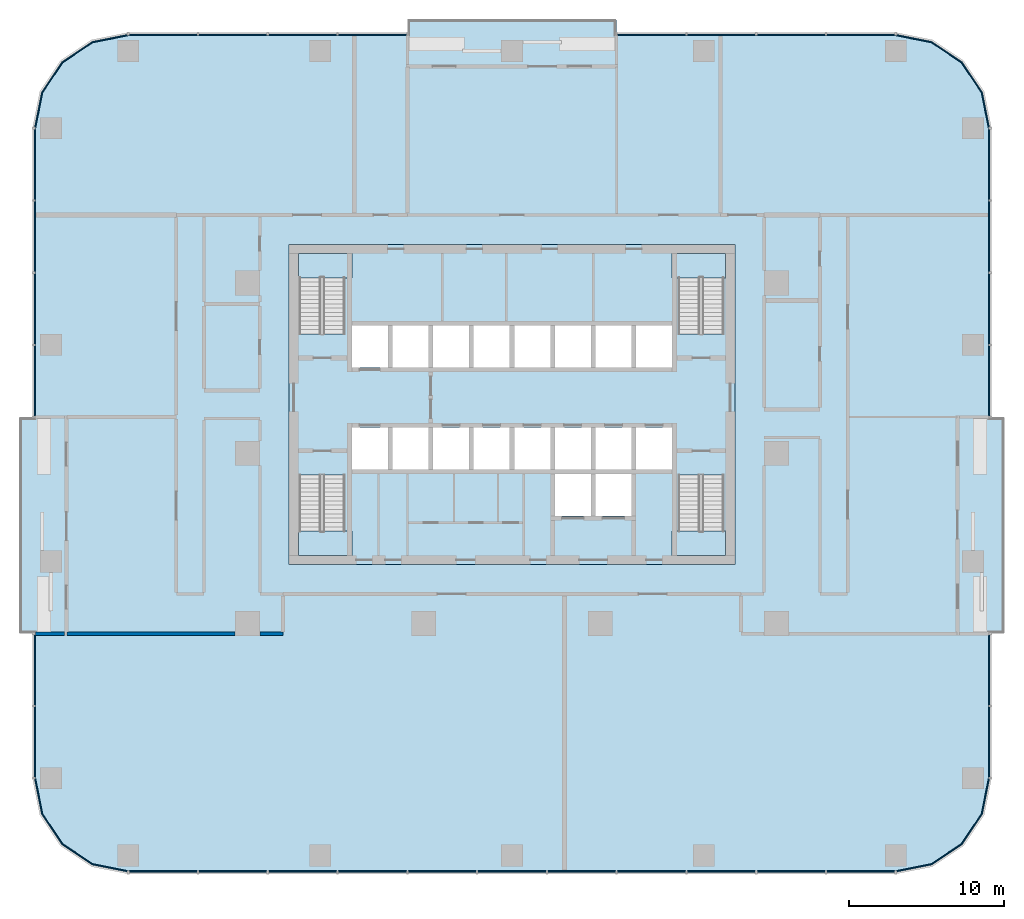
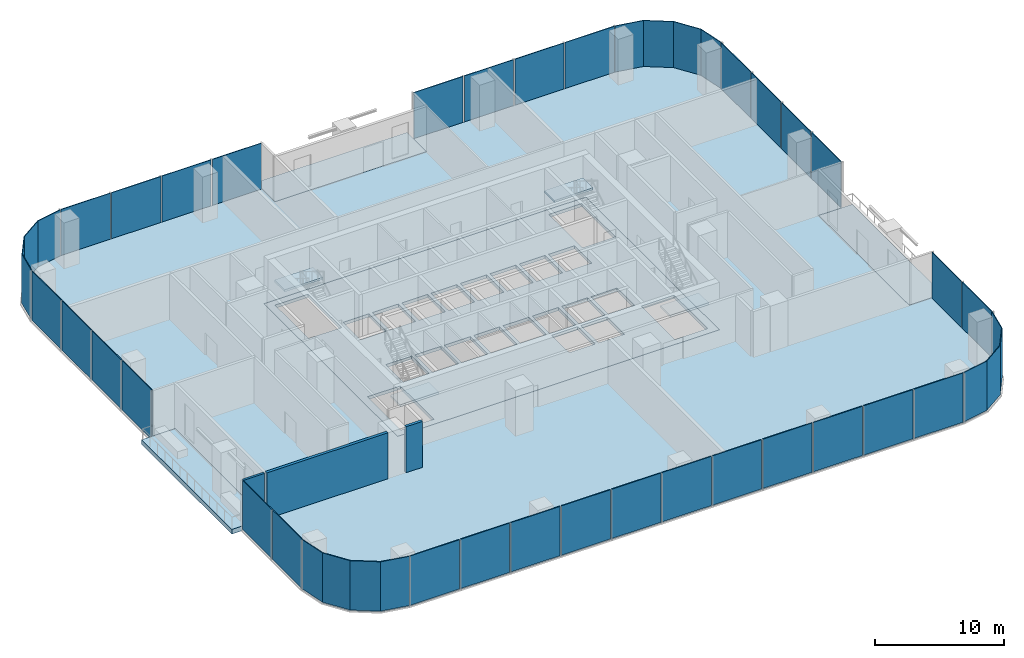
# One storey, part 6 of 14: 35 plates, 9 slabs, 3 walls, 15 elements without a shape of their own.
"""IFC4 building model written with IfcOpenShell, lengths in metres."""

from ifc_helpers import new_model, si_unit, direction, frame, frame_2d, origin, origin_2d, place, context, subcontext, project, spatial, polyline, rectangle, outline, extrude, material, layer, layer_set, type_object, element, aggregate, save


model = new_model("IFC4")

# Units and contexts
model_context = context("Model", 3, precision=1e-05, world=origin(), true_north=direction((0.0, 1.0)))
body_context = subcontext(model_context, "Body", "Model", "MODEL_VIEW")
ifc_project = project(units=[si_unit("LENGTHUNIT", "METRE"), si_unit("AREAUNIT", "SQUARE_METRE"), si_unit("VOLUMEUNIT", "CUBIC_METRE"), si_unit("PLANEANGLEUNIT", "RADIAN"), si_unit("MASSUNIT", "GRAM", prefix="KILO")], contexts=[model_context])

# Site, building, storey
site_placement = place(None, origin())
site = spatial("IfcSite", under=ifc_project, at=site_placement, CompositionType="ELEMENT")
building_placement = place(site_placement, origin())
building = spatial("IfcBuilding", under=site, at=building_placement, Name="Mopane Tessera Tower", CompositionType="ELEMENT")
storey_placement = place(building_placement, frame((0.0, 0.0, 35.800048828125)))
storey = spatial("IfcBuildingStorey", under=building, at=storey_placement, Name="L06", CompositionType="ELEMENT", Elevation=35.800048828125)

# Slab
ifc_material_1 = material(Name="Concrete C40/50", Category="concrete")
ifc_layer_1 = layer(ifc_material_1, 0.300048828125)
ifc_layer_set_1 = layer_set([ifc_layer_1], Name="Concrete C40/50")
slab_type_1 = type_object("IfcSlabType", Name="Core floor slab 300 mm", PredefinedType="FLOOR", material=ifc_layer_set_1)
slab_1_placement = place(storey_placement, frame((0.0, 0.0, -0.300048828125)))
element("IfcSlab", 1, at=slab_1_placement, inside=storey, type_object=slab_type_1, Name="L06 core floor slab", PredefinedType="FLOOR", context=body_context, shape_type="SweptSolid", body=[
    extrude(outline(polyline([(-14.39990234375, -7.199951171875), (14.39990234375, -7.199951171875), (14.39990234375, 13.5), (-14.39990234375, 13.5), (-14.39990234375, -7.199951171875)]), holes=[polyline([(-10.35009765625, -1.050048828125), (-8.02490234375, -1.050048828125), (-8.02490234375, 1.64990234375), (-10.35009765625, 1.64990234375), (-10.35009765625, -1.050048828125)]), polyline([(-7.72509765625, -1.050048828125), (-5.39990234375, -1.050048828125), (-5.39990234375, 1.64990234375), (-7.72509765625, 1.64990234375), (-7.72509765625, -1.050048828125)]), polyline([(-5.10009765625, -1.050048828125), (-2.77490234375, -1.050048828125), (-2.77490234375, 1.64990234375), (-5.10009765625, 1.64990234375), (-5.10009765625, -1.050048828125)]), polyline([(-2.47509765625, -1.050048828125), (-0.14990234375, -1.050048828125), (-0.14990234375, 1.64990234375), (-2.47509765625, 1.64990234375), (-2.47509765625, -1.050048828125)]), polyline([(0.14990234375, -1.050048828125), (2.47509765625, -1.050048828125), (2.47509765625, 1.64990234375), (0.14990234375, 1.64990234375), (0.14990234375, -1.050048828125)]), polyline([(2.77490234375, -1.050048828125), (5.10009765625, -1.050048828125), (5.10009765625, 1.64990234375), (2.77490234375, 1.64990234375), (2.77490234375, -1.050048828125)]), polyline([(5.39990234375, -1.050048828125), (7.72509765625, -1.050048828125), (7.72509765625, 1.64990234375), (5.39990234375, 1.64990234375), (5.39990234375, -1.050048828125)]), polyline([(8.02490234375, -1.050048828125), (10.35009765625, -1.050048828125), (10.35009765625, 1.64990234375), (8.02490234375, 1.64990234375), (8.02490234375, -1.050048828125)]), polyline([(-10.35009765625, 5.550048828125), (-8.02490234375, 5.550048828125), (-8.02490234375, 8.25), (-10.35009765625, 8.25), (-10.35009765625, 5.550048828125)]), polyline([(-7.72509765625, 5.550048828125), (-5.39990234375, 5.550048828125), (-5.39990234375, 8.25), (-7.72509765625, 8.25), (-7.72509765625, 5.550048828125)]), polyline([(-5.10009765625, 5.550048828125), (-2.77490234375, 5.550048828125), (-2.77490234375, 8.25), (-5.10009765625, 8.25), (-5.10009765625, 5.550048828125)]), polyline([(-2.47509765625, 5.550048828125), (-0.14990234375, 5.550048828125), (-0.14990234375, 8.25), (-2.47509765625, 8.25), (-2.47509765625, 5.550048828125)]), polyline([(0.14990234375, 5.550048828125), (2.47509765625, 5.550048828125), (2.47509765625, 8.25), (0.14990234375, 8.25), (0.14990234375, 5.550048828125)]), polyline([(2.77490234375, 5.550048828125), (5.10009765625, 5.550048828125), (5.10009765625, 8.25), (2.77490234375, 8.25), (2.77490234375, 5.550048828125)]), polyline([(5.39990234375, 5.550048828125), (7.72509765625, 5.550048828125), (7.72509765625, 8.25), (5.39990234375, 8.25), (5.39990234375, 5.550048828125)]), polyline([(8.02490234375, 5.550048828125), (10.35009765625, 5.550048828125), (10.35009765625, 8.25), (8.02490234375, 8.25), (8.02490234375, 5.550048828125)]), polyline([(2.77490234375, -4.050048828125), (5.10009765625, -4.050048828125), (5.10009765625, -1.35009765625), (2.77490234375, -1.35009765625), (2.77490234375, -4.050048828125)]), polyline([(5.39990234375, -4.050048828125), (7.72509765625, -4.050048828125), (7.72509765625, -1.35009765625), (5.39990234375, -1.35009765625), (5.39990234375, -4.050048828125)]), polyline([(-13.75, -1.405029296875), (-13.75, -6.60009765625), (-10.800048828125, -6.60009765625), (-10.800048828125, -1.405029296875), (-13.75, -1.405029296875)]), polyline([(-10.800048828125, 7.705078125), (-10.800048828125, 12.89990234375), (-13.75, 12.89990234375), (-13.75, 7.705078125), (-10.800048828125, 7.705078125)]), polyline([(10.75, -1.405029296875), (10.75, -6.60009765625), (13.699951171875, -6.60009765625), (13.699951171875, -1.405029296875), (10.75, -1.405029296875)]), polyline([(13.699951171875, 7.705078125), (13.699951171875, 12.89990234375), (10.75, 12.89990234375), (10.75, 7.705078125), (13.699951171875, 7.705078125)])]), origin(), (0.0, 0.0, 1.0), 0.300048828125),
])

# Stair, slab
ifc_material_2 = material(Name="Concrete C50/60", Category="concrete")
stair_type = type_object("IfcStairType", Name="Escape stair 1400 mm, riser 171 mm", PredefinedType="HALF_TURN_STAIR", material=ifc_material_2)
stair_1_placement = place(storey_placement, origin())
stair_1 = element("IfcStair", 2, at=stair_1_placement, inside=storey, type_object=stair_type, Name="L06 Escape stair south-west", PredefinedType="HALF_TURN_STAIR")
ifc_material_3 = material(Name="Concrete C50/60", Category="concrete")
ifc_layer_2 = layer(ifc_material_3, 0.199951171875)
ifc_layer_set_2 = layer_set([ifc_layer_2], Name="Concrete C50/60")
slab_type_2 = type_object("IfcSlabType", Name="Escape stair landing 200 mm", PredefinedType="LANDING", material=ifc_layer_set_2)
slab_2_placement = place(storey_placement, frame((0.0, 0.0, 2.199951171875)))
slab_2 = element("IfcSlab", 3, at=slab_2_placement, type_object=slab_type_2, Name="ST1 landing 1", PredefinedType="LANDING", context=body_context, shape_type="SweptSolid", body=[
    extrude(outline(polyline([(-13.800048828125, -5.0400390625), (-13.800048828125, -6.60009765625), (-10.35009765625, -6.60009765625), (-10.35009765625, -5.0400390625), (-13.800048828125, -5.0400390625)])), origin(), (0.0, 0.0, 1.0), 0.199951171875),
])
aggregate(stair_1, [slab_2])

stair_2_placement = place(storey_placement, origin())
stair_2 = element("IfcStair", 4, at=stair_2_placement, inside=storey, type_object=stair_type, Name="L06 Escape stair north-west", PredefinedType="HALF_TURN_STAIR")
slab_3_placement = place(storey_placement, frame((0.0, 0.0, 2.199951171875)))
slab_3 = element("IfcSlab", 5, at=slab_3_placement, type_object=slab_type_2, Name="ST2 landing 1", PredefinedType="LANDING", context=body_context, shape_type="SweptSolid", body=[
    extrude(outline(polyline([(-10.35009765625, 11.340087890625), (-10.35009765625, 12.89990234375), (-13.800048828125, 12.89990234375), (-13.800048828125, 11.340087890625), (-10.35009765625, 11.340087890625)])), origin(), (0.0, 0.0, 1.0), 0.199951171875),
])
aggregate(stair_2, [slab_3])

stair_3_placement = place(storey_placement, origin())
stair_3 = element("IfcStair", 6, at=stair_3_placement, inside=storey, type_object=stair_type, Name="L06 Escape stair south-east", PredefinedType="HALF_TURN_STAIR")
slab_4_placement = place(storey_placement, frame((0.0, 0.0, 2.199951171875)))
slab_4 = element("IfcSlab", 7, at=slab_4_placement, type_object=slab_type_2, Name="ST3 landing 1", PredefinedType="LANDING", context=body_context, shape_type="SweptSolid", body=[
    extrude(outline(polyline([(10.35009765625, -5.0400390625), (10.35009765625, -6.60009765625), (13.800048828125, -6.60009765625), (13.800048828125, -5.0400390625), (10.35009765625, -5.0400390625)])), origin(), (0.0, 0.0, 1.0), 0.199951171875),
])
aggregate(stair_3, [slab_4])

stair_4_placement = place(storey_placement, origin())
stair_4 = element("IfcStair", 8, at=stair_4_placement, inside=storey, type_object=stair_type, Name="L06 Escape stair north-east", PredefinedType="HALF_TURN_STAIR")
slab_5_placement = place(storey_placement, frame((0.0, 0.0, 2.199951171875)))
slab_5 = element("IfcSlab", 9, at=slab_5_placement, type_object=slab_type_2, Name="ST4 landing 1", PredefinedType="LANDING", context=body_context, shape_type="SweptSolid", body=[
    extrude(outline(polyline([(13.800048828125, 11.340087890625), (13.800048828125, 12.89990234375), (10.35009765625, 12.89990234375), (10.35009765625, 11.340087890625), (13.800048828125, 11.340087890625)])), origin(), (0.0, 0.0, 1.0), 0.199951171875),
])
aggregate(stair_4, [slab_5])

# Curtain wall, plates
ifc_material_4 = material(Name="Aluminium frame", Category="aluminium")
curtain_wall_type = type_object("IfcCurtainWallType", Name="Lower tower unitised wall", PredefinedType="NOTDEFINED", material=ifc_material_4)
curtain_wall_1_placement = place(storey_placement, origin())
curtain_wall_1 = element("IfcCurtainWall", 10, at=curtain_wall_1_placement, inside=storey, type_object=curtain_wall_type, Name="e:cw:L06:S:0", PredefinedType="NOTDEFINED")
ifc_material_5 = material(Name="Clear laminated glass", Category="glass")
ifc_layer_3 = layer(ifc_material_5, 0.070068359375)
ifc_layer_set_3 = layer_set([ifc_layer_3], Name="Clear laminated glass")
plate_type = type_object("IfcPlateType", Name="Laminated glazed unit 70", PredefinedType="CURTAIN_PANEL", material=ifc_layer_set_3)
plate_1_placement = place(storey_placement, frame((-22.54541015625, -27.034912109375, -0.31005859375), z_axis=(0.0, 0.0, 1.0), x_axis=(1.0, 0.0, 0.0)))
plate_1 = element("IfcPlate", 11, at=plate_1_placement, type_object=plate_type, Name="e:cw:L06:S:0:pn0", PredefinedType="CURTAIN_PANEL", context=body_context, shape_type="SweptSolid", body=[
    extrude(rectangle(XDim=4.399169921875, YDim=0.070068359375, at=origin_2d()), origin(), (0.0, 0.0, 1.0), 4.659912109375),
])
plate_2_placement = place(storey_placement, frame((-18.036376953125, -27.034912109375, -0.31005859375), z_axis=(0.0, 0.0, 1.0), x_axis=(1.0, 0.0, 0.0)))
plate_2 = element("IfcPlate", 12, at=plate_2_placement, type_object=plate_type, Name="e:cw:L06:S:0:pn1", PredefinedType="CURTAIN_PANEL", context=body_context, shape_type="SweptSolid", body=[
    extrude(rectangle(XDim=4.399169921875, YDim=0.070068359375, at=origin_2d()), origin(), (0.0, 0.0, 1.0), 4.659912109375),
])
plate_3_placement = place(storey_placement, frame((-13.52734375, -27.034912109375, -0.31005859375), z_axis=(0.0, 0.0, 1.0), x_axis=(1.0, 0.0, 0.0)))
plate_3 = element("IfcPlate", 13, at=plate_3_placement, type_object=plate_type, Name="e:cw:L06:S:0:pn2", PredefinedType="CURTAIN_PANEL", context=body_context, shape_type="SweptSolid", body=[
    extrude(rectangle(XDim=4.399169921875, YDim=0.070068359375, at=origin_2d()), origin(), (0.0, 0.0, 1.0), 4.659912109375),
])
plate_4_placement = place(storey_placement, frame((-9.01806640625, -27.034912109375, -0.31005859375), z_axis=(0.0, 0.0, 1.0), x_axis=(1.0, 0.0, 0.0)))
plate_4 = element("IfcPlate", 14, at=plate_4_placement, type_object=plate_type, Name="e:cw:L06:S:0:pn3", PredefinedType="CURTAIN_PANEL", context=body_context, shape_type="SweptSolid", body=[
    extrude(rectangle(XDim=4.399169921875, YDim=0.070068359375, at=origin_2d()), origin(), (0.0, 0.0, 1.0), 4.659912109375),
])
plate_5_placement = place(storey_placement, frame((-4.509033203125, -27.034912109375, -0.31005859375), z_axis=(0.0, 0.0, 1.0), x_axis=(1.0, 0.0, 0.0)))
plate_5 = element("IfcPlate", 15, at=plate_5_placement, type_object=plate_type, Name="e:cw:L06:S:0:pn4", PredefinedType="CURTAIN_PANEL", context=body_context, shape_type="SweptSolid", body=[
    extrude(rectangle(XDim=4.399169921875, YDim=0.070068359375, at=origin_2d()), origin(), (0.0, 0.0, 1.0), 4.659912109375),
])
plate_6_placement = place(storey_placement, frame((0.0, -27.034912109375, -0.31005859375), z_axis=(0.0, 0.0, 1.0), x_axis=(1.0, 0.0, 0.0)))
plate_6 = element("IfcPlate", 16, at=plate_6_placement, type_object=plate_type, Name="e:cw:L06:S:0:pn5", PredefinedType="CURTAIN_PANEL", context=body_context, shape_type="SweptSolid", body=[
    extrude(rectangle(XDim=4.399169921875, YDim=0.070068359375, at=origin_2d()), origin(), (0.0, 0.0, 1.0), 4.659912109375),
])
plate_7_placement = place(storey_placement, frame((4.509033203125, -27.034912109375, -0.31005859375), z_axis=(0.0, 0.0, 1.0), x_axis=(1.0, 0.0, 0.0)))
plate_7 = element("IfcPlate", 17, at=plate_7_placement, type_object=plate_type, Name="e:cw:L06:S:0:pn6", PredefinedType="CURTAIN_PANEL", context=body_context, shape_type="SweptSolid", body=[
    extrude(rectangle(XDim=4.399169921875, YDim=0.070068359375, at=origin_2d()), origin(), (0.0, 0.0, 1.0), 4.659912109375),
])
plate_8_placement = place(storey_placement, frame((9.01806640625, -27.034912109375, -0.31005859375), z_axis=(0.0, 0.0, 1.0), x_axis=(1.0, 0.0, 0.0)))
plate_8 = element("IfcPlate", 18, at=plate_8_placement, type_object=plate_type, Name="e:cw:L06:S:0:pn7", PredefinedType="CURTAIN_PANEL", context=body_context, shape_type="SweptSolid", body=[
    extrude(rectangle(XDim=4.399169921875, YDim=0.070068359375, at=origin_2d()), origin(), (0.0, 0.0, 1.0), 4.659912109375),
])
plate_9_placement = place(storey_placement, frame((13.52734375, -27.034912109375, -0.31005859375), z_axis=(0.0, 0.0, 1.0), x_axis=(1.0, 0.0, 0.0)))
plate_9 = element("IfcPlate", 19, at=plate_9_placement, type_object=plate_type, Name="e:cw:L06:S:0:pn8", PredefinedType="CURTAIN_PANEL", context=body_context, shape_type="SweptSolid", body=[
    extrude(rectangle(XDim=4.399169921875, YDim=0.070068359375, at=origin_2d()), origin(), (0.0, 0.0, 1.0), 4.659912109375),
])
plate_10_placement = place(storey_placement, frame((18.036376953125, -27.034912109375, -0.31005859375), z_axis=(0.0, 0.0, 1.0), x_axis=(1.0, 0.0, 0.0)))
plate_10 = element("IfcPlate", 20, at=plate_10_placement, type_object=plate_type, Name="e:cw:L06:S:0:pn9", PredefinedType="CURTAIN_PANEL", context=body_context, shape_type="SweptSolid", body=[
    extrude(rectangle(XDim=4.399169921875, YDim=0.070068359375, at=origin_2d()), origin(), (0.0, 0.0, 1.0), 4.659912109375),
])
plate_11_placement = place(storey_placement, frame((22.54541015625, -27.034912109375, -0.31005859375), z_axis=(0.0, 0.0, 1.0), x_axis=(1.0, 0.0, 0.0)))
plate_11 = element("IfcPlate", 21, at=plate_11_placement, type_object=plate_type, Name="e:cw:L06:S:0:pn10", PredefinedType="CURTAIN_PANEL", context=body_context, shape_type="SweptSolid", body=[
    extrude(rectangle(XDim=4.399169921875, YDim=0.070068359375, at=origin_2d()), origin(), (0.0, 0.0, 1.0), 4.659912109375),
])
aggregate(curtain_wall_1, [plate_1, plate_2, plate_3, plate_4, plate_5, plate_6, plate_7, plate_8, plate_9, plate_10, plate_11])

# Curtain wall, plate
curtain_wall_2_placement = place(storey_placement, origin())
curtain_wall_2 = element("IfcCurtainWall", 22, at=curtain_wall_2_placement, inside=storey, type_object=curtain_wall_type, Name="e:cw:L06:CS", PredefinedType="NOTDEFINED")
plate_12_placement = place(storey_placement, frame((0.0, 0.0, -0.31005859375)))
plate_12 = element("IfcPlate", 23, at=plate_12_placement, type_object=plate_type, Name="e:cw:L06:CS:pn", PredefinedType="CURTAIN_PANEL", context=body_context, shape_type="SweptSolid", body=[
    extrude(outline(polyline([(24.800048828125, -27.0), (27.09619140625, -26.543212890625), (29.042724609375, -25.24267578125), (30.34326171875, -23.296142578125), (30.800048828125, -21.0), (30.8701171875, -21.0), (30.407958984375, -23.322998046875), (29.092041015625, -25.292236328125), (27.122802734375, -26.60791015625), (24.800048828125, -27.070068359375), (24.800048828125, -27.0)])), origin(), (0.0, 0.0, 1.0), 4.659912109375),
])
aggregate(curtain_wall_2, [plate_12])

# Curtain wall, plates
curtain_wall_3_placement = place(storey_placement, origin())
curtain_wall_3 = element("IfcCurtainWall", 24, at=curtain_wall_3_placement, inside=storey, type_object=curtain_wall_type, Name="e:cw:L06:E:0", PredefinedType="NOTDEFINED")
plate_13_placement = place(storey_placement, frame((30.8349609375, -18.666748046875, -0.31005859375), z_axis=(0.0, 0.0, 1.0), x_axis=(0.0, 1.0, 0.0)))
plate_13 = element("IfcPlate", 25, at=plate_13_placement, type_object=plate_type, Name="e:cw:L06:E:0:pn0", PredefinedType="CURTAIN_PANEL", context=body_context, shape_type="SweptSolid", body=[
    extrude(rectangle(XDim=4.556640625, YDim=0.070068359375, at=origin_2d()), origin(), (0.0, 0.0, 1.0), 4.659912109375),
])
plate_14_placement = place(storey_placement, frame((30.8349609375, -14.0, -0.31005859375), z_axis=(0.0, 0.0, 1.0), x_axis=(0.0, 1.0, 0.0)))
plate_14 = element("IfcPlate", 26, at=plate_14_placement, type_object=plate_type, Name="e:cw:L06:E:0:pn1", PredefinedType="CURTAIN_PANEL", context=body_context, shape_type="SweptSolid", body=[
    extrude(rectangle(XDim=4.556640625, YDim=0.070068359375, at=origin_2d()), origin(), (0.0, 0.0, 1.0), 4.659912109375),
])
aggregate(curtain_wall_3, [plate_13, plate_14])

curtain_wall_4_placement = place(storey_placement, origin())
curtain_wall_4 = element("IfcCurtainWall", 27, at=curtain_wall_4_placement, inside=storey, type_object=curtain_wall_type, Name="e:cw:L06:E:5", PredefinedType="NOTDEFINED")
plate_15_placement = place(storey_placement, frame((30.8349609375, 4.666748046875, -0.31005859375), z_axis=(0.0, 0.0, 1.0), x_axis=(0.0, 1.0, 0.0)))
plate_15 = element("IfcPlate", 28, at=plate_15_placement, type_object=plate_type, Name="e:cw:L06:E:5:pn5", PredefinedType="CURTAIN_PANEL", context=body_context, shape_type="SweptSolid", body=[
    extrude(rectangle(XDim=4.556640625, YDim=0.070068359375, at=origin_2d()), origin(), (0.0, 0.0, 1.0), 4.659912109375),
])
plate_16_placement = place(storey_placement, frame((30.8349609375, 9.333251953125, -0.31005859375), z_axis=(0.0, 0.0, 1.0), x_axis=(0.0, 1.0, 0.0)))
plate_16 = element("IfcPlate", 29, at=plate_16_placement, type_object=plate_type, Name="e:cw:L06:E:5:pn6", PredefinedType="CURTAIN_PANEL", context=body_context, shape_type="SweptSolid", body=[
    extrude(rectangle(XDim=4.556640625, YDim=0.070068359375, at=origin_2d()), origin(), (0.0, 0.0, 1.0), 4.659912109375),
])
plate_17_placement = place(storey_placement, frame((30.8349609375, 14.0, -0.31005859375), z_axis=(0.0, 0.0, 1.0), x_axis=(0.0, 1.0, 0.0)))
plate_17 = element("IfcPlate", 30, at=plate_17_placement, type_object=plate_type, Name="e:cw:L06:E:5:pn7", PredefinedType="CURTAIN_PANEL", context=body_context, shape_type="SweptSolid", body=[
    extrude(rectangle(XDim=4.556640625, YDim=0.070068359375, at=origin_2d()), origin(), (0.0, 0.0, 1.0), 4.659912109375),
])
plate_18_placement = place(storey_placement, frame((30.8349609375, 18.666748046875, -0.31005859375), z_axis=(0.0, 0.0, 1.0), x_axis=(0.0, 1.0, 0.0)))
plate_18 = element("IfcPlate", 31, at=plate_18_placement, type_object=plate_type, Name="e:cw:L06:E:5:pn8", PredefinedType="CURTAIN_PANEL", context=body_context, shape_type="SweptSolid", body=[
    extrude(rectangle(XDim=4.556640625, YDim=0.070068359375, at=origin_2d()), origin(), (0.0, 0.0, 1.0), 4.659912109375),
])
aggregate(curtain_wall_4, [plate_15, plate_16, plate_17, plate_18])

# Curtain wall, plate
curtain_wall_5_placement = place(storey_placement, origin())
curtain_wall_5 = element("IfcCurtainWall", 32, at=curtain_wall_5_placement, inside=storey, type_object=curtain_wall_type, Name="e:cw:L06:CE", PredefinedType="NOTDEFINED")
plate_19_placement = place(storey_placement, frame((0.0, 0.0, -0.31005859375)))
plate_19 = element("IfcPlate", 33, at=plate_19_placement, type_object=plate_type, Name="e:cw:L06:CE:pn", PredefinedType="CURTAIN_PANEL", context=body_context, shape_type="SweptSolid", body=[
    extrude(outline(polyline([(30.800048828125, 21.0), (30.34326171875, 23.296142578125), (29.042724609375, 25.24267578125), (27.09619140625, 26.543212890625), (24.800048828125, 27.0), (24.800048828125, 27.070068359375), (27.122802734375, 26.60791015625), (29.092041015625, 25.292236328125), (30.407958984375, 23.322998046875), (30.8701171875, 21.0), (30.800048828125, 21.0)])), origin(), (0.0, 0.0, 1.0), 4.659912109375),
])
aggregate(curtain_wall_5, [plate_19])

# Curtain wall, plates
curtain_wall_6_placement = place(storey_placement, origin())
curtain_wall_6 = element("IfcCurtainWall", 34, at=curtain_wall_6_placement, inside=storey, type_object=curtain_wall_type, Name="e:cw:L06:N:0", PredefinedType="NOTDEFINED")
plate_20_placement = place(storey_placement, frame((22.54541015625, 27.034912109375, -0.31005859375), z_axis=(0.0, 0.0, 1.0), x_axis=(-1.0, 0.0, 0.0)))
plate_20 = element("IfcPlate", 35, at=plate_20_placement, type_object=plate_type, Name="e:cw:L06:N:0:pn0", PredefinedType="CURTAIN_PANEL", context=body_context, shape_type="SweptSolid", body=[
    extrude(rectangle(XDim=4.399169921875, YDim=0.070068359375, at=origin_2d()), origin(), (0.0, 0.0, 1.0), 4.659912109375),
])
plate_21_placement = place(storey_placement, frame((18.036376953125, 27.034912109375, -0.31005859375), z_axis=(0.0, 0.0, 1.0), x_axis=(-1.0, 0.0, 0.0)))
plate_21 = element("IfcPlate", 36, at=plate_21_placement, type_object=plate_type, Name="e:cw:L06:N:0:pn1", PredefinedType="CURTAIN_PANEL", context=body_context, shape_type="SweptSolid", body=[
    extrude(rectangle(XDim=4.399169921875, YDim=0.070068359375, at=origin_2d()), origin(), (0.0, 0.0, 1.0), 4.659912109375),
])
plate_22_placement = place(storey_placement, frame((13.52734375, 27.034912109375, -0.31005859375), z_axis=(0.0, 0.0, 1.0), x_axis=(-1.0, 0.0, 0.0)))
plate_22 = element("IfcPlate", 37, at=plate_22_placement, type_object=plate_type, Name="e:cw:L06:N:0:pn2", PredefinedType="CURTAIN_PANEL", context=body_context, shape_type="SweptSolid", body=[
    extrude(rectangle(XDim=4.399169921875, YDim=0.070068359375, at=origin_2d()), origin(), (0.0, 0.0, 1.0), 4.659912109375),
])
plate_23_placement = place(storey_placement, frame((9.01806640625, 27.034912109375, -0.31005859375), z_axis=(0.0, 0.0, 1.0), x_axis=(-1.0, 0.0, 0.0)))
plate_23 = element("IfcPlate", 38, at=plate_23_placement, type_object=plate_type, Name="e:cw:L06:N:0:pn3", PredefinedType="CURTAIN_PANEL", context=body_context, shape_type="SweptSolid", body=[
    extrude(rectangle(XDim=4.399169921875, YDim=0.070068359375, at=origin_2d()), origin(), (0.0, 0.0, 1.0), 4.659912109375),
])
aggregate(curtain_wall_6, [plate_20, plate_21, plate_22, plate_23])

curtain_wall_7_placement = place(storey_placement, origin())
curtain_wall_7 = element("IfcCurtainWall", 39, at=curtain_wall_7_placement, inside=storey, type_object=curtain_wall_type, Name="e:cw:L06:N:7", PredefinedType="NOTDEFINED")
plate_24_placement = place(storey_placement, frame((-9.01806640625, 27.034912109375, -0.31005859375), z_axis=(0.0, 0.0, 1.0), x_axis=(-1.0, 0.0, 0.0)))
plate_24 = element("IfcPlate", 40, at=plate_24_placement, type_object=plate_type, Name="e:cw:L06:N:7:pn7", PredefinedType="CURTAIN_PANEL", context=body_context, shape_type="SweptSolid", body=[
    extrude(rectangle(XDim=4.399169921875, YDim=0.070068359375, at=origin_2d()), origin(), (0.0, 0.0, 1.0), 4.659912109375),
])
plate_25_placement = place(storey_placement, frame((-13.52734375, 27.034912109375, -0.31005859375), z_axis=(0.0, 0.0, 1.0), x_axis=(-1.0, 0.0, 0.0)))
plate_25 = element("IfcPlate", 41, at=plate_25_placement, type_object=plate_type, Name="e:cw:L06:N:7:pn8", PredefinedType="CURTAIN_PANEL", context=body_context, shape_type="SweptSolid", body=[
    extrude(rectangle(XDim=4.399169921875, YDim=0.070068359375, at=origin_2d()), origin(), (0.0, 0.0, 1.0), 4.659912109375),
])
plate_26_placement = place(storey_placement, frame((-18.036376953125, 27.034912109375, -0.31005859375), z_axis=(0.0, 0.0, 1.0), x_axis=(-1.0, 0.0, 0.0)))
plate_26 = element("IfcPlate", 42, at=plate_26_placement, type_object=plate_type, Name="e:cw:L06:N:7:pn9", PredefinedType="CURTAIN_PANEL", context=body_context, shape_type="SweptSolid", body=[
    extrude(rectangle(XDim=4.399169921875, YDim=0.070068359375, at=origin_2d()), origin(), (0.0, 0.0, 1.0), 4.659912109375),
])
plate_27_placement = place(storey_placement, frame((-22.54541015625, 27.034912109375, -0.31005859375), z_axis=(0.0, 0.0, 1.0), x_axis=(-1.0, 0.0, 0.0)))
plate_27 = element("IfcPlate", 43, at=plate_27_placement, type_object=plate_type, Name="e:cw:L06:N:7:pn10", PredefinedType="CURTAIN_PANEL", context=body_context, shape_type="SweptSolid", body=[
    extrude(rectangle(XDim=4.399169921875, YDim=0.070068359375, at=origin_2d()), origin(), (0.0, 0.0, 1.0), 4.659912109375),
])
aggregate(curtain_wall_7, [plate_24, plate_25, plate_26, plate_27])

# Curtain wall, plate
curtain_wall_8_placement = place(storey_placement, origin())
curtain_wall_8 = element("IfcCurtainWall", 44, at=curtain_wall_8_placement, inside=storey, type_object=curtain_wall_type, Name="e:cw:L06:CN", PredefinedType="NOTDEFINED")
plate_28_placement = place(storey_placement, frame((0.0, 0.0, -0.31005859375)))
plate_28 = element("IfcPlate", 45, at=plate_28_placement, type_object=plate_type, Name="e:cw:L06:CN:pn", PredefinedType="CURTAIN_PANEL", context=body_context, shape_type="SweptSolid", body=[
    extrude(outline(polyline([(-24.800048828125, 27.0), (-27.09619140625, 26.543212890625), (-29.042724609375, 25.24267578125), (-30.34326171875, 23.296142578125), (-30.800048828125, 21.0), (-30.8701171875, 21.0), (-30.407958984375, 23.322998046875), (-29.092041015625, 25.292236328125), (-27.122802734375, 26.60791015625), (-24.800048828125, 27.070068359375), (-24.800048828125, 27.0)])), origin(), (0.0, 0.0, 1.0), 4.659912109375),
])
aggregate(curtain_wall_8, [plate_28])

# Curtain wall, plates
curtain_wall_9_placement = place(storey_placement, origin())
curtain_wall_9 = element("IfcCurtainWall", 46, at=curtain_wall_9_placement, inside=storey, type_object=curtain_wall_type, Name="e:cw:L06:W:0", PredefinedType="NOTDEFINED")
plate_29_placement = place(storey_placement, frame((-30.8349609375, 18.666748046875, -0.31005859375), z_axis=(0.0, 0.0, 1.0), x_axis=(0.0, -1.0, 0.0)))
plate_29 = element("IfcPlate", 47, at=plate_29_placement, type_object=plate_type, Name="e:cw:L06:W:0:pn0", PredefinedType="CURTAIN_PANEL", context=body_context, shape_type="SweptSolid", body=[
    extrude(rectangle(XDim=4.556640625, YDim=0.070068359375, at=origin_2d()), origin(), (0.0, 0.0, 1.0), 4.659912109375),
])
plate_30_placement = place(storey_placement, frame((-30.8349609375, 14.0, -0.31005859375), z_axis=(0.0, 0.0, 1.0), x_axis=(0.0, -1.0, 0.0)))
plate_30 = element("IfcPlate", 48, at=plate_30_placement, type_object=plate_type, Name="e:cw:L06:W:0:pn1", PredefinedType="CURTAIN_PANEL", context=body_context, shape_type="SweptSolid", body=[
    extrude(rectangle(XDim=4.556640625, YDim=0.070068359375, at=origin_2d()), origin(), (0.0, 0.0, 1.0), 4.659912109375),
])
plate_31_placement = place(storey_placement, frame((-30.8349609375, 9.333251953125, -0.31005859375), z_axis=(0.0, 0.0, 1.0), x_axis=(0.0, -1.0, 0.0)))
plate_31 = element("IfcPlate", 49, at=plate_31_placement, type_object=plate_type, Name="e:cw:L06:W:0:pn2", PredefinedType="CURTAIN_PANEL", context=body_context, shape_type="SweptSolid", body=[
    extrude(rectangle(XDim=4.556640625, YDim=0.070068359375, at=origin_2d()), origin(), (0.0, 0.0, 1.0), 4.659912109375),
])
plate_32_placement = place(storey_placement, frame((-30.8349609375, 4.666748046875, -0.31005859375), z_axis=(0.0, 0.0, 1.0), x_axis=(0.0, -1.0, 0.0)))
plate_32 = element("IfcPlate", 50, at=plate_32_placement, type_object=plate_type, Name="e:cw:L06:W:0:pn3", PredefinedType="CURTAIN_PANEL", context=body_context, shape_type="SweptSolid", body=[
    extrude(rectangle(XDim=4.556640625, YDim=0.070068359375, at=origin_2d()), origin(), (0.0, 0.0, 1.0), 4.659912109375),
])
aggregate(curtain_wall_9, [plate_29, plate_30, plate_31, plate_32])

curtain_wall_10_placement = place(storey_placement, origin())
curtain_wall_10 = element("IfcCurtainWall", 51, at=curtain_wall_10_placement, inside=storey, type_object=curtain_wall_type, Name="e:cw:L06:W:7", PredefinedType="NOTDEFINED")
plate_33_placement = place(storey_placement, frame((-30.8349609375, -14.0, -0.31005859375), z_axis=(0.0, 0.0, 1.0), x_axis=(0.0, -1.0, 0.0)))
plate_33 = element("IfcPlate", 52, at=plate_33_placement, type_object=plate_type, Name="e:cw:L06:W:7:pn7", PredefinedType="CURTAIN_PANEL", context=body_context, shape_type="SweptSolid", body=[
    extrude(rectangle(XDim=4.556640625, YDim=0.070068359375, at=origin_2d()), origin(), (0.0, 0.0, 1.0), 4.659912109375),
])
plate_34_placement = place(storey_placement, frame((-30.8349609375, -18.666748046875, -0.31005859375), z_axis=(0.0, 0.0, 1.0), x_axis=(0.0, -1.0, 0.0)))
plate_34 = element("IfcPlate", 53, at=plate_34_placement, type_object=plate_type, Name="e:cw:L06:W:7:pn8", PredefinedType="CURTAIN_PANEL", context=body_context, shape_type="SweptSolid", body=[
    extrude(rectangle(XDim=4.556640625, YDim=0.070068359375, at=origin_2d()), origin(), (0.0, 0.0, 1.0), 4.659912109375),
])
aggregate(curtain_wall_10, [plate_33, plate_34])

# Curtain wall, plate
curtain_wall_11_placement = place(storey_placement, origin())
curtain_wall_11 = element("IfcCurtainWall", 54, at=curtain_wall_11_placement, inside=storey, type_object=curtain_wall_type, Name="e:cw:L06:CW", PredefinedType="NOTDEFINED")
plate_35_placement = place(storey_placement, frame((0.0, 0.0, -0.31005859375)))
plate_35 = element("IfcPlate", 55, at=plate_35_placement, type_object=plate_type, Name="e:cw:L06:CW:pn", PredefinedType="CURTAIN_PANEL", context=body_context, shape_type="SweptSolid", body=[
    extrude(outline(polyline([(-30.800048828125, -21.0), (-30.34326171875, -23.296142578125), (-29.042724609375, -25.24267578125), (-27.09619140625, -26.543212890625), (-24.800048828125, -27.0), (-24.800048828125, -27.070068359375), (-27.122802734375, -26.60791015625), (-29.092041015625, -25.292236328125), (-30.407958984375, -23.322998046875), (-30.8701171875, -21.0), (-30.800048828125, -21.0)])), origin(), (0.0, 0.0, 1.0), 4.659912109375),
])
aggregate(curtain_wall_11, [plate_35])

# Slabs
ifc_material_6 = material(Name="Concrete C40/50", Category="concrete")
ifc_layer_4 = layer(ifc_material_6, 0.449951171875)
ifc_layer_set_4 = layer_set([ifc_layer_4], Name="Concrete C40/50")
slab_type_3 = type_object("IfcSlabType", Name="Planted terrace slab 450 mm", PredefinedType="FLOOR", material=ifc_layer_set_4)
slab_6_placement = place(storey_placement, frame((0.0, 0.0, -0.449951171875)))
element("IfcSlab", 56, at=slab_6_placement, inside=storey, type_object=slab_type_3, Name="Terrace slab N1 L06", PredefinedType="FLOOR", context=body_context, shape_type="SweptSolid", body=[
    extrude(outline(polyline([(31.800048828125, 2.333251953125), (28.800048828125, 2.333251953125), (28.800048828125, -11.666748046875), (31.800048828125, -11.666748046875), (31.800048828125, 2.333251953125)])), origin(), (0.0, 0.0, 1.0), 0.449951171875),
])
slab_7_placement = place(storey_placement, frame((0.0, 0.0, -0.449951171875)))
element("IfcSlab", 57, at=slab_7_placement, inside=storey, type_object=slab_type_3, Name="Terrace slab N2 L06", PredefinedType="FLOOR", context=body_context, shape_type="SweptSolid", body=[
    extrude(outline(polyline([(-6.763671875, 28.0), (-6.763671875, 25.0), (6.763671875, 25.0), (6.763671875, 28.0), (-6.763671875, 28.0)])), origin(), (0.0, 0.0, 1.0), 0.449951171875),
])
slab_8_placement = place(storey_placement, frame((0.0, 0.0, -0.449951171875)))
element("IfcSlab", 58, at=slab_8_placement, inside=storey, type_object=slab_type_3, Name="Terrace slab N3 L06", PredefinedType="FLOOR", context=body_context, shape_type="SweptSolid", body=[
    extrude(outline(polyline([(-31.800048828125, -11.666748046875), (-28.800048828125, -11.666748046875), (-28.800048828125, 2.333251953125), (-31.800048828125, 2.333251953125), (-31.800048828125, -11.666748046875)])), origin(), (0.0, 0.0, 1.0), 0.449951171875),
])
ifc_material_7 = material(Name="Concrete C40/50", Category="concrete")
ifc_layer_5 = layer(ifc_material_7, 0.449951171875)
ifc_layer_set_5 = layer_set([ifc_layer_5], Name="Concrete C40/50")
slab_type_4 = type_object("IfcSlabType", Name="Post-tensioned flat plate 450 mm", PredefinedType="FLOOR", material=ifc_layer_set_5)
slab_9_placement = place(storey_placement, frame((0.0, 0.0, -0.449951171875)))
element("IfcSlab", 59, at=slab_9_placement, inside=storey, type_object=slab_type_4, Name="Floor slab L06", PredefinedType="FLOOR", context=body_context, shape_type="SweptSolid", body=[
    extrude(outline(polyline([(30.800048828125, -21.0), (30.800048828125, -11.666748046875), (28.800048828125, -11.666748046875), (28.800048828125, 2.333251953125), (30.800048828125, 2.333251953125), (30.800048828125, 21.0), (30.34326171875, 23.296142578125), (29.042724609375, 25.24267578125), (27.09619140625, 26.543212890625), (24.800048828125, 27.0), (6.763671875, 27.0), (6.763671875, 25.0), (-6.763671875, 25.0), (-6.763671875, 27.0), (-24.800048828125, 27.0), (-27.09619140625, 26.543212890625), (-29.042724609375, 25.24267578125), (-30.34326171875, 23.296142578125), (-30.800048828125, 21.0), (-30.800048828125, 2.333251953125), (-28.800048828125, 2.333251953125), (-28.800048828125, -11.666748046875), (-30.800048828125, -11.666748046875), (-30.800048828125, -21.0), (-30.34326171875, -23.296142578125), (-29.042724609375, -25.24267578125), (-27.09619140625, -26.543212890625), (-24.800048828125, -27.0), (24.800048828125, -27.0), (27.09619140625, -26.543212890625), (29.042724609375, -25.24267578125), (30.34326171875, -23.296142578125), (30.800048828125, -21.0)]), holes=[polyline([(14.39990234375, -7.199951171875), (-14.39990234375, -7.199951171875), (-14.39990234375, 13.5), (14.39990234375, 13.5), (14.39990234375, -7.199951171875)])]), origin(), (0.0, 0.0, 1.0), 0.449951171875),
])

# Walls
ifc_material_8 = material(Name="Plastered concrete blockwork C20/25", Category="masonry")
ifc_layer_6 = layer(ifc_material_8, 0.25)
ifc_layer_set_6 = layer_set([ifc_layer_6], Name="Plastered concrete blockwork C20/25")
wall_type_1 = type_object("IfcWallType", Name="Plastered blockwork wall 250, rated EI 120", PredefinedType="PARTITIONING", material=ifc_layer_set_6)
wall_1_placement = place(storey_placement, frame((-28.75, -11.6650390625, 0.0), z_axis=(0.0, 0.0, 1.0), x_axis=(1.0, 0.0, 0.0)))
element("IfcWall", 60, at=wall_1_placement, inside=storey, type_object=wall_type_1, Name="Partition L06:000", PredefinedType="PARTITIONING", context=body_context, shape_type="SweptSolid", body=[
    extrude(rectangle(XDim=10.85009765625, YDim=0.25, at=frame_2d((5.425048828125, 0.0))), origin(), (0.0, 0.0, 1.0), 4.349853515625),
])
wall_2_placement = place(storey_placement, frame((-16.300048828125, -11.6650390625, 0.0), z_axis=(0.0, 0.0, 1.0), x_axis=(1.0, 0.0, 0.0)))
element("IfcWall", 61, at=wall_2_placement, inside=storey, type_object=wall_type_1, Name="Partition L06:001", PredefinedType="PARTITIONING", context=body_context, shape_type="SweptSolid", body=[
    extrude(rectangle(XDim=1.5, YDim=0.25, at=frame_2d((0.75, 0.0))), origin(), (0.0, 0.0, 1.0), 4.349853515625),
])
ifc_material_9 = material(Name="Blockwork with glazed tile facing", Category="masonry")
ifc_layer_7 = layer(ifc_material_9, 0.199951171875)
ifc_layer_set_7 = layer_set([ifc_layer_7], Name="Blockwork with glazed tile facing")
wall_type_2 = type_object("IfcWallType", Name="Terrace cheek wall 200", PredefinedType="STANDARD", material=ifc_layer_set_7)
wall_3_placement = place(storey_placement, frame((-30.800048828125, -11.666748046875, 0.0), z_axis=(0.0, 0.0, 1.0), x_axis=(1.0, 0.0, 0.0)))
element("IfcWall", 62, at=wall_3_placement, inside=storey, type_object=wall_type_2, Name="e:nw:L06:N3:cheekb", PredefinedType="STANDARD", context=body_context, shape_type="SweptSolid", body=[
    extrude(rectangle(XDim=1.875, YDim=0.199951171875, at=frame_2d((0.9375, 0.0))), origin(), (0.0, 0.0, 1.0), 4.349853515625),
])

save(model, "model.ifc")
